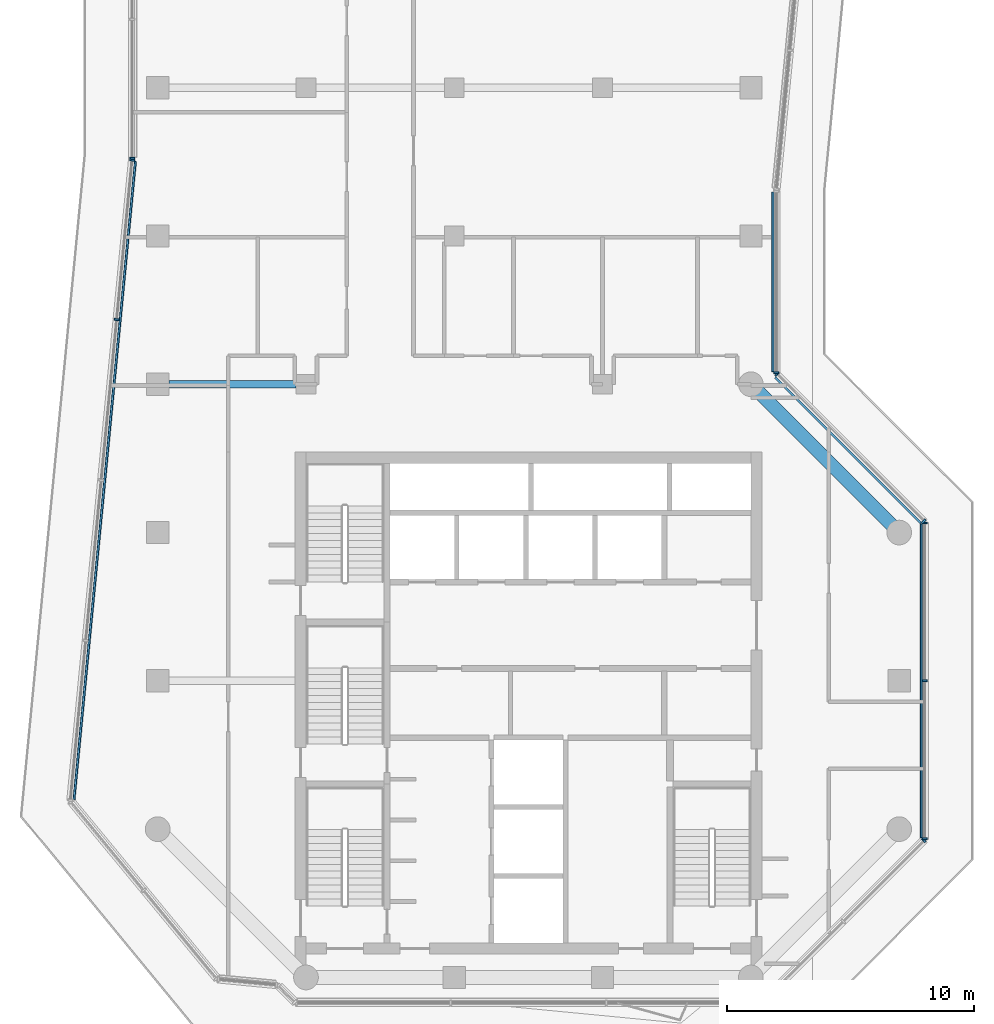
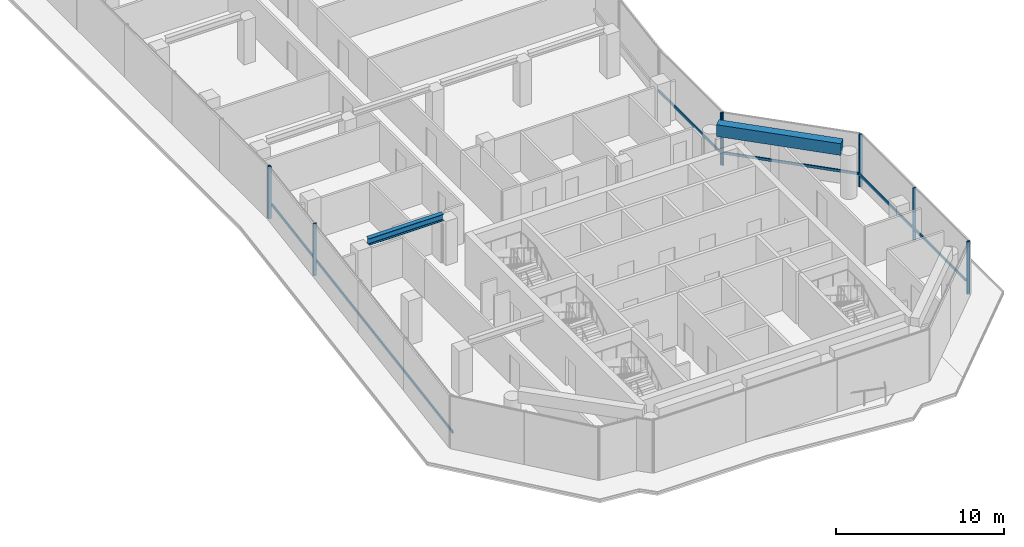
# One storey, part 3 of 13: 14 members, 2 beams, 6 elements without a shape of their own.
"""IFC4 building model written with IfcOpenShell, lengths in metres."""

import ifcopenshell
import ifcopenshell.guid

model = None  # the IFC model being written
_history = None  # IfcOwnerHistory: only IFC2X3 demands one
_inside = {}  # id of a spatial element -> (the spatial element, [elements in it])
_under = {}  # id of a project, library or spatial element -> (it, [spatial elements below it])
_declared = {}  # id of a project -> (the project, [libraries it declares])
_typed = {}  # id of a type object -> (the type object, [elements of that type])
_made_of = {}  # id of a material, layer set ... -> (it, [elements and type objects made of it])


def new_model(schema):
    """Start an empty IFC model of exactly this schema.

    Asked for "IFC4X3", IfcOpenShell would pick the latest addendum, in which some entities
    have other attributes; the version numbers below select the first issue.
    IFC2X3 requires an IfcOwnerHistory on every rooted entity: one is made here for all.
    """
    global model, _history
    if schema == "IFC4X3":
        model = ifcopenshell.file(schema_version=(4, 3, 0, 0))
    else:
        model = ifcopenshell.file(schema=schema)
    _inside.clear()
    _under.clear()
    _declared.clear()
    _typed.clear()
    _made_of.clear()
    _history = None
    if model.schema == "IFC2X3":
        org = make("IfcOrganization", Name="unknown")
        user = make(
            "IfcPersonAndOrganization",
            ThePerson=make("IfcPerson", FamilyName="unknown"),
            TheOrganization=org,
        )
        app = make(
            "IfcApplication",
            ApplicationDeveloper=org,
            Version="unknown",
            ApplicationFullName="unknown",
            ApplicationIdentifier="unknown",
        )
        _history = make(
            "IfcOwnerHistory",
            OwningUser=user,
            OwningApplication=app,
            ChangeAction="ADDED",
            CreationDate=0,
        )
    return model


def make(cls, **values):
    """One entity of the class cls with the attributes given. An attribute that is None is left unset."""
    return model.create_entity(
        cls, **{name: value for name, value in values.items() if value is not None}
    )


def rooted(cls, **values):
    """An entity with a GlobalId (a new one), such as an element, a storey or a relation."""
    return make(cls, GlobalId=ifcopenshell.guid.new(), OwnerHistory=_history, **values)


def si_unit(unit_type, name, prefix=None):
    """IfcSIUnit, for example si_unit("LENGTHUNIT", "METRE", prefix="MILLI")."""
    return make("IfcSIUnit", UnitType=unit_type, Prefix=prefix, Name=name)


def assignment(units):
    """IfcUnitAssignment: the units of a project."""
    return None if units is None else make("IfcUnitAssignment", Units=units)


def point(xyz):
    """IfcCartesianPoint."""
    return None if xyz is None else make("IfcCartesianPoint", Coordinates=xyz)


def direction(xyz):
    """IfcDirection."""
    return None if xyz is None else make("IfcDirection", DirectionRatios=xyz)


def frame(location, z_axis=None, x_axis=None):
    """IfcAxis2Placement3D, a coordinate frame: its origin and axes. An axis left out is left unset."""
    return make(
        "IfcAxis2Placement3D",
        Location=point(location),
        Axis=direction(z_axis),
        RefDirection=direction(x_axis),
    )


def frame_2d(location, x_axis=None):
    """IfcAxis2Placement2D, a coordinate frame in the plane: its origin and x axis."""
    return make(
        "IfcAxis2Placement2D", Location=point(location), RefDirection=direction(x_axis)
    )


def origin():
    """The frame at (0, 0, 0) with its axes left unset."""
    return frame((0.0, 0.0, 0.0))


def origin_2d():
    """The frame at (0, 0) in the plane with its x axis left unset."""
    return frame_2d((0.0, 0.0))


def place(relative_to, where):
    """IfcLocalPlacement: puts the frame where relative to a parent placement (None: the world)."""
    return make(
        "IfcLocalPlacement", PlacementRelTo=relative_to, RelativePlacement=where
    )


def context(
    kind, dimensions, precision=None, world=None, true_north=None, identifier=None
):
    """IfcGeometricRepresentationContext, for example the 3D "Model" context."""
    return make(
        "IfcGeometricRepresentationContext",
        ContextIdentifier=identifier,
        ContextType=kind,
        CoordinateSpaceDimension=dimensions,
        Precision=precision,
        WorldCoordinateSystem=world,
        TrueNorth=true_north,
    )


def subcontext(parent, identifier, kind, view, scale=None):
    """IfcGeometricRepresentationSubContext, for example "Body" below "Model"."""
    return make(
        "IfcGeometricRepresentationSubContext",
        ContextIdentifier=identifier,
        ContextType=kind,
        ParentContext=parent,
        TargetScale=scale,
        TargetView=view,
    )


def project(units=None, contexts=None):
    """IfcProject with its units and contexts."""
    return rooted(
        "IfcProject",
        Name="project",
        RepresentationContexts=contexts,
        UnitsInContext=assignment(units),
    )


def spatial(cls, under=None, at=None, **own):
    """A site, building, storey or space (cls), placed at a placement, below another one or the project."""
    s = rooted(cls, ObjectPlacement=at, **own)
    if under is not None:
        _under.setdefault(under.id(), (under, []))[1].append(s)
    return s


def profile(cls, at=None, kind="AREA", **sizes):
    """A parametric profile (cls). Its sizes go by their IFC names, for example OverallWidth=200.0."""
    return make(cls, ProfileType=kind, Position=at, **sizes)


def rectangle(**sizes):
    """IfcRectangleProfileDef."""
    return profile("IfcRectangleProfileDef", **sizes)


def i_section(**sizes):
    """IfcIShapeProfileDef."""
    return profile("IfcIShapeProfileDef", **sizes)


def extrude(swept, where, along, depth):
    """IfcExtrudedAreaSolid: the profile swept, set in the frame where, extruded along a direction by depth."""
    return make(
        "IfcExtrudedAreaSolid",
        SweptArea=swept,
        Position=where,
        ExtrudedDirection=direction(along),
        Depth=depth,
    )


def shape(context_of_items, identifier, shape_type, items):
    """IfcShapeRepresentation: the items that make up one representation, for example the "Body"."""
    return make(
        "IfcShapeRepresentation",
        ContextOfItems=context_of_items,
        RepresentationIdentifier=identifier,
        RepresentationType=shape_type,
        Items=items,
    )


def material(Name=None, Category=None):
    """IfcMaterial."""
    return make("IfcMaterial", Name=Name, Category=Category)


def layer(
    of_material, thickness, ventilated=None, Name=None, Category=None, Priority=None
):
    """IfcMaterialLayer: one layer of a wall or slab, of a material (None: an air gap)."""
    return make(
        "IfcMaterialLayer",
        Material=of_material,
        LayerThickness=thickness,
        IsVentilated=ventilated,
        Name=Name,
        Category=Category,
        Priority=Priority,
    )


def layer_set(layers, Name=None):
    """IfcMaterialLayerSet."""
    return make("IfcMaterialLayerSet", MaterialLayers=layers, LayerSetName=Name)


def material_profile(
    of_material, cross_section, Name=None, Category=None, Priority=None
):
    """IfcMaterialProfile: a cross section and its material."""
    return make(
        "IfcMaterialProfile",
        Name=Name,
        Material=of_material,
        Profile=cross_section,
        Priority=Priority,
        Category=Category,
    )


def profile_set(profiles, Name=None, composite=None):
    """IfcMaterialProfileSet."""
    return make(
        "IfcMaterialProfileSet",
        Name=Name,
        MaterialProfiles=profiles,
        CompositeProfile=composite,
    )


def made_of(thing, what):
    """Note that an element or type object is made of a material, layer set ...; save() writes the relation."""
    if what is not None:
        _made_of.setdefault(what.id(), (what, []))[1].append(thing)
    return thing


def type_object(cls, material=None, **own):
    """A type object (cls), such as IfcWallType, which elements share."""
    return made_of(rooted(cls, **own), material)


def element(
    cls,
    number,
    at=None,
    inside=None,
    cuts=None,
    type_object=None,
    material=None,
    context=None,
    identifier="Body",
    shape_type=None,
    held_by="IfcProductDefinitionShape",
    body=None,
    shapes=None,
    **own,
):
    """One element of the class cls, such as IfcWall. Its Tag is "e" and its number.

    at: its placement. inside: the storey or other place that contains it. cuts: it is an
    opening in that element (IfcRelVoidsElement). A single representation is given by context,
    identifier, shape_type and body (its items); several are given by shapes. held_by: the class
    of the entity that holds the representations. save() writes the other relations.
    """
    e = rooted(cls, Tag="e%d" % number, ObjectPlacement=at, **own)
    if body is not None:
        shapes = [shape(context, identifier, shape_type, body)]
    if shapes is not None:
        e.Representation = make(held_by, Representations=shapes)
    if inside is not None:
        _inside.setdefault(inside.id(), (inside, []))[1].append(e)
    if cuts is not None:
        rooted(
            "IfcRelVoidsElement", RelatingBuildingElement=cuts, RelatedOpeningElement=e
        )
    if type_object is not None:
        _typed.setdefault(type_object.id(), (type_object, []))[1].append(e)
    return made_of(e, material)


def aggregate(whole, parts):
    """IfcRelAggregates: a whole, such as a stair, and the parts it consists of."""
    return rooted("IfcRelAggregates", RelatingObject=whole, RelatedObjects=parts)


def save(model, path):
    """Write the relations noted so far, then the file.

    IfcRelAggregates (storeys below a building ...), IfcRelContainedInSpatialStructure (elements
    in a storey), IfcRelDefinesByType, IfcRelAssociatesMaterial and IfcRelDeclares: one each for
    every whole, place, type object, material and project.
    """
    for whole, parts in _under.values():
        aggregate(whole, parts)
    for where, things in _inside.values():
        rooted(
            "IfcRelContainedInSpatialStructure",
            RelatedElements=things,
            RelatingStructure=where,
        )
    for kind, things in _typed.values():
        rooted("IfcRelDefinesByType", RelatedObjects=things, RelatingType=kind)
    for what, things in _made_of.values():
        rooted("IfcRelAssociatesMaterial", RelatedObjects=things, RelatingMaterial=what)
    for by, libraries in _declared.values():
        rooted("IfcRelDeclares", RelatingContext=by, RelatedDefinitions=libraries)
    model.write(path)


model = new_model("IFC4")

# Units and contexts
model_context = context("Model", 3, precision=1e-05, world=origin(), true_north=direction((0.0, 1.0)))
body_context = subcontext(model_context, "Body", "Model", "MODEL_VIEW")
ifc_project = project(units=[si_unit("LENGTHUNIT", "METRE"), si_unit("AREAUNIT", "SQUARE_METRE"), si_unit("VOLUMEUNIT", "CUBIC_METRE"), si_unit("PLANEANGLEUNIT", "RADIAN"), si_unit("MASSUNIT", "GRAM", prefix="KILO")], contexts=[model_context])

# Site, building, storey
site_placement = place(None, origin())
site = spatial("IfcSite", under=ifc_project, at=site_placement, CompositionType="ELEMENT")
building_placement = place(site_placement, origin())
building = spatial("IfcBuilding", under=site, at=building_placement, Name="Welwitschia Terrace Campus", CompositionType="ELEMENT")
storey_placement = place(building_placement, frame((0.0, 0.0, 251.60009765625)))
storey = spatial("IfcBuildingStorey", under=building, at=storey_placement, Name="L56", CompositionType="ELEMENT", Elevation=251.60009765625)

# Curtain wall, member
ifc_material_1 = material(Name="Bronze anodised aluminium", Category="aluminium")
ifc_layer = layer(ifc_material_1, 0.199951171875)
ifc_layer_set = layer_set([ifc_layer], Name="Bronze anodised aluminium")
curtain_wall_type = type_object("IfcCurtainWallType", Name="Curtain wall CW6 plant floor 6000", PredefinedType="NOTDEFINED", material=ifc_layer_set)
curtain_wall_1_placement = place(storey_placement, origin())
curtain_wall_1 = element("IfcCurtainWall", 1, at=curtain_wall_1_placement, inside=storey, type_object=curtain_wall_type, Name="CW L56.0.0", PredefinedType="NOTDEFINED")
ifc_material_2 = material(Name="Bronze anodised aluminium", Category="aluminium")
ifc_material_profile_1 = material_profile(ifc_material_2, rectangle(XDim=0.199951171875, YDim=0.080078125, at=origin_2d()))
ifc_profile_set_1 = profile_set([ifc_material_profile_1], Name="Bronze anodised aluminium")
member_type_1 = type_object("IfcMemberType", Name="Mullion 80x200", PredefinedType="MULLION", material=ifc_profile_set_1)
member_1_placement = place(storey_placement, frame((-1.030029296875, 37.148681640625, 0.0), z_axis=(0.0, 0.0, 1.0), x_axis=(1.0, 0.0, 0.0)))
member_1 = element("IfcMember", 2, at=member_1_placement, type_object=member_type_1, Name="Mullion L56.0.0.6", PredefinedType="MULLION", context=body_context, shape_type="SweptSolid", body=[
    extrude(rectangle(XDim=0.199951171875, YDim=0.080078125, at=origin_2d()), origin(), (0.0, 0.0, 1.0), 3.7998046875),
])
aggregate(curtain_wall_1, [member_1])

# Curtain wall, members
curtain_wall_2_placement = place(storey_placement, origin())
curtain_wall_2 = element("IfcCurtainWall", 3, at=curtain_wall_2_placement, inside=storey, type_object=curtain_wall_type, Name="CW L56.1.0", PredefinedType="NOTDEFINED")
member_2_placement = place(storey_placement, frame((-1.033935546875, 37.06884765625, 0.0), z_axis=(0.0, 0.0, 1.0), x_axis=(0.995396198367, -0.09584575252, 0.0)))
member_2 = element("IfcMember", 4, at=member_2_placement, type_object=member_type_1, Name="Mullion L56.1.0.0", PredefinedType="MULLION", context=body_context, shape_type="SweptSolid", body=[
    extrude(rectangle(XDim=0.199951171875, YDim=0.080078125, at=origin_2d()), origin(), (0.0, 0.0, 1.0), 3.7998046875),
])
member_3_placement = place(storey_placement, frame((-1.6552734375, 30.615234375, 0.0), z_axis=(0.0, 0.0, 1.0), x_axis=(0.995396198367, -0.09584575252, 0.0)))
member_3 = element("IfcMember", 5, at=member_3_placement, type_object=member_type_1, Name="Mullion L56.1.0.1", PredefinedType="MULLION", context=body_context, shape_type="SweptSolid", body=[
    extrude(rectangle(XDim=0.199951171875, YDim=0.080078125, at=origin_2d()), origin(), (0.0, 0.0, 1.0), 3.7998046875),
])

# Curtain wall, member
curtain_wall_3_placement = place(storey_placement, origin())
curtain_wall_3 = element("IfcCurtainWall", 6, at=curtain_wall_3_placement, inside=storey, type_object=curtain_wall_type, Name="CW L56.6.0", PredefinedType="NOTDEFINED")
member_4_placement = place(storey_placement, frame((31.001708984375, 9.545166015625, 0.0), z_axis=(0.0, 0.0, 1.0), x_axis=(-0.707106781187, 0.707106781187, 0.0)))
member_4 = element("IfcMember", 7, at=member_4_placement, type_object=member_type_1, Name="Mullion L56.6.0.2", PredefinedType="MULLION", context=body_context, shape_type="SweptSolid", body=[
    extrude(rectangle(XDim=0.199951171875, YDim=0.080078125, at=origin_2d()), origin(), (0.0, 0.0, 1.0), 3.7998046875),
])
aggregate(curtain_wall_3, [member_4])

# Curtain wall, members
curtain_wall_4_placement = place(storey_placement, origin())
curtain_wall_4 = element("IfcCurtainWall", 8, at=curtain_wall_4_placement, inside=storey, type_object=curtain_wall_type, Name="CW L56.7.0", PredefinedType="NOTDEFINED")
member_5_placement = place(storey_placement, frame((31.030029296875, 9.61328125, 0.0), z_axis=(0.0, 0.0, 1.0), x_axis=(-1.0, 0.0, 0.0)))
member_5 = element("IfcMember", 9, at=member_5_placement, type_object=member_type_1, Name="Mullion L56.7.0.0", PredefinedType="MULLION", context=body_context, shape_type="SweptSolid", body=[
    extrude(rectangle(XDim=0.199951171875, YDim=0.080078125, at=origin_2d()), origin(), (0.0, 0.0, 1.0), 3.7998046875),
])
member_6_placement = place(storey_placement, frame((31.030029296875, 16.0, 0.0), z_axis=(0.0, 0.0, 1.0), x_axis=(-1.0, 0.0, 0.0)))
member_6 = element("IfcMember", 10, at=member_6_placement, type_object=member_type_1, Name="Mullion L56.7.0.1", PredefinedType="MULLION", context=body_context, shape_type="SweptSolid", body=[
    extrude(rectangle(XDim=0.199951171875, YDim=0.080078125, at=origin_2d()), origin(), (0.0, 0.0, 1.0), 3.7998046875),
])
member_7_placement = place(storey_placement, frame((31.030029296875, 22.38671875, 0.0), z_axis=(0.0, 0.0, 1.0), x_axis=(-1.0, 0.0, 0.0)))
member_7 = element("IfcMember", 11, at=member_7_placement, type_object=member_type_1, Name="Mullion L56.7.0.2", PredefinedType="MULLION", context=body_context, shape_type="SweptSolid", body=[
    extrude(rectangle(XDim=0.199951171875, YDim=0.080078125, at=origin_2d()), origin(), (0.0, 0.0, 1.0), 3.7998046875),
])

curtain_wall_5_placement = place(storey_placement, origin())
curtain_wall_5 = element("IfcCurtainWall", 12, at=curtain_wall_5_placement, inside=storey, type_object=curtain_wall_type, Name="CW L56.8.0", PredefinedType="NOTDEFINED")
member_8_placement = place(storey_placement, frame((31.001708984375, 22.454833984375, 0.0), z_axis=(0.0, 0.0, 1.0), x_axis=(-0.707106781187, -0.707106781187, 0.0)))
member_8 = element("IfcMember", 13, at=member_8_placement, type_object=member_type_1, Name="Mullion L56.8.0.0", PredefinedType="MULLION", context=body_context, shape_type="SweptSolid", body=[
    extrude(rectangle(XDim=0.199951171875, YDim=0.080078125, at=origin_2d()), origin(), (0.0, 0.0, 1.0), 3.7998046875),
])
member_9_placement = place(storey_placement, frame((25.058349609375, 28.3984375, 0.0), z_axis=(0.0, 0.0, 1.0), x_axis=(-0.707106781187, -0.707106781187, 0.0)))
member_9 = element("IfcMember", 14, at=member_9_placement, type_object=member_type_1, Name="Mullion L56.8.0.1", PredefinedType="MULLION", context=body_context, shape_type="SweptSolid", body=[
    extrude(rectangle(XDim=0.199951171875, YDim=0.080078125, at=origin_2d()), origin(), (0.0, 0.0, 1.0), 3.7998046875),
])

# Curtain wall, member
curtain_wall_6_placement = place(storey_placement, origin())
curtain_wall_6 = element("IfcCurtainWall", 15, at=curtain_wall_6_placement, inside=storey, type_object=curtain_wall_type, Name="CW L56.9.0", PredefinedType="NOTDEFINED")
member_10_placement = place(storey_placement, frame((25.030029296875, 28.466552734375, 0.0), z_axis=(0.0, 0.0, 1.0), x_axis=(-1.0, 0.0, 0.0)))
member_10 = element("IfcMember", 16, at=member_10_placement, type_object=member_type_1, Name="Mullion L56.9.0.0", PredefinedType="MULLION", context=body_context, shape_type="SweptSolid", body=[
    extrude(rectangle(XDim=0.199951171875, YDim=0.080078125, at=origin_2d()), origin(), (0.0, 0.0, 1.0), 3.7998046875),
])

# Beams
ifc_material_3 = material(Name="Steel S355", Category="steel")
ifc_material_profile_2 = material_profile(ifc_material_3, i_section(OverallWidth=0.300048828125, OverallDepth=0.489990234375, WebThickness=0.011962890625, FlangeThickness=0.02294921875, FilletRadius=0.027099609375, at=origin_2d()))
ifc_profile_set_2 = profile_set([ifc_material_profile_2], Name="Steel S355")
beam_type_1 = type_object("IfcBeamType", Name="Primary beam HE 500 A", PredefinedType="BEAM", material=ifc_profile_set_2)
beam_1_placement = place(storey_placement, frame((0.450439453125, 28.0, 3.344970703125), z_axis=(1.0, 0.0, 0.0), x_axis=(0.0, 1.0, 0.0)))
element("IfcBeam", 17, at=beam_1_placement, inside=storey, type_object=beam_type_1, Name="Primary beam PB5", PredefinedType="BEAM", context=body_context, shape_type="SweptSolid", body=[
    extrude(i_section(OverallWidth=0.300048828125, OverallDepth=0.489990234375, WebThickness=0.011962890625, FlangeThickness=0.02294921875, FilletRadius=0.027099609375, at=origin_2d()), origin(), (0.0, 0.0, 1.0), 5.149169921875),
])
ifc_material_4 = material(Name="Concrete C50/60", Category="concrete")
ifc_material_profile_3 = material_profile(ifc_material_4, rectangle(XDim=0.550048828125, YDim=0.85009765625, at=origin_2d()))
ifc_profile_set_3 = profile_set([ifc_material_profile_3], Name="Concrete C50/60")
beam_type_2 = type_object("IfcBeamType", Name="Ring spandrel 550x850", PredefinedType="SPANDREL", material=ifc_profile_set_3)
beam_2_placement = place(storey_placement, frame((29.7041015625, 22.2958984375, 3.375), z_axis=(-0.707106781187, 0.707106781187, 0.0), x_axis=(-0.707106781187, -0.707106781187, 0.0)))
element("IfcBeam", 18, at=beam_2_placement, inside=storey, type_object=beam_type_2, Name="Spandrel SP3", PredefinedType="SPANDREL", context=body_context, shape_type="SweptSolid", body=[
    extrude(rectangle(XDim=0.550048828125, YDim=0.85009765625, at=origin_2d()), origin(), (0.0, 0.0, 1.0), 7.6484375),
])

# Member
ifc_material_5 = material(Name="Bronze anodised aluminium", Category="aluminium")
ifc_material_profile_4 = material_profile(ifc_material_5, rectangle(XDim=0.080078125, YDim=0.179931640625, at=origin_2d()))
ifc_profile_set_4 = profile_set([ifc_material_profile_4], Name="Bronze anodised aluminium")
member_type_2 = type_object("IfcMemberType", Name="Transom 80x180", PredefinedType="USERDEFINED", material=ifc_profile_set_4)
member_11_placement = place(storey_placement, frame((-0.898193359375, 37.015625, 1.0), z_axis=(-0.095852140956, -0.99539558321, 0.0), x_axis=(0.99539558321, -0.095852140956, 0.0)))
member_11 = element("IfcMember", 19, at=member_11_placement, type_object=member_type_2, Name="Transom L56.1.0", ObjectType="TRANSOM", PredefinedType="USERDEFINED", context=body_context, shape_type="SweptSolid", body=[
    extrude(rectangle(XDim=0.080078125, YDim=0.179931640625, at=origin_2d()), origin(), (0.0, 0.0, 1.0), 25.93408203125),
])

aggregate(curtain_wall_2, [member_2, member_3, member_11])

member_12_placement = place(storey_placement, frame((30.889892578125, 9.6533203125, 1.0), z_axis=(0.0, 1.0, 0.0), x_axis=(-1.0, 0.0, 0.0)))
member_12 = element("IfcMember", 20, at=member_12_placement, type_object=member_type_2, Name="Transom L56.7.0", ObjectType="TRANSOM", PredefinedType="USERDEFINED", context=body_context, shape_type="SweptSolid", body=[
    extrude(rectangle(XDim=0.080078125, YDim=0.179931640625, at=origin_2d()), origin(), (0.0, 0.0, 1.0), 12.693359375),
])

aggregate(curtain_wall_4, [member_5, member_6, member_7, member_12])

member_13_placement = place(storey_placement, frame((30.87451171875, 22.38427734375, 1.0), z_axis=(-0.707121443695, 0.707092118374, 0.0), x_axis=(-0.707092118374, -0.707121443695, 0.0)))
member_13 = element("IfcMember", 21, at=member_13_placement, type_object=member_type_2, Name="Transom L56.8.0", ObjectType="TRANSOM", PredefinedType="USERDEFINED", context=body_context, shape_type="SweptSolid", body=[
    extrude(rectangle(XDim=0.080078125, YDim=0.179931640625, at=origin_2d()), origin(), (0.0, 0.0, 1.0), 8.3251953125),
])

aggregate(curtain_wall_5, [member_8, member_9, member_13])

member_14_placement = place(storey_placement, frame((24.889892578125, 28.506591796875, 1.0), z_axis=(0.0, 1.0, 0.0), x_axis=(-1.0, 0.0, 0.0)))
member_14 = element("IfcMember", 22, at=member_14_placement, type_object=member_type_2, Name="Transom L56.9.0", ObjectType="TRANSOM", PredefinedType="USERDEFINED", context=body_context, shape_type="SweptSolid", body=[
    extrude(rectangle(XDim=0.080078125, YDim=0.179931640625, at=origin_2d()), origin(), (0.0, 0.0, 1.0), 7.2705078125),
])

aggregate(curtain_wall_6, [member_10, member_14])

save(model, "model.ifc")
